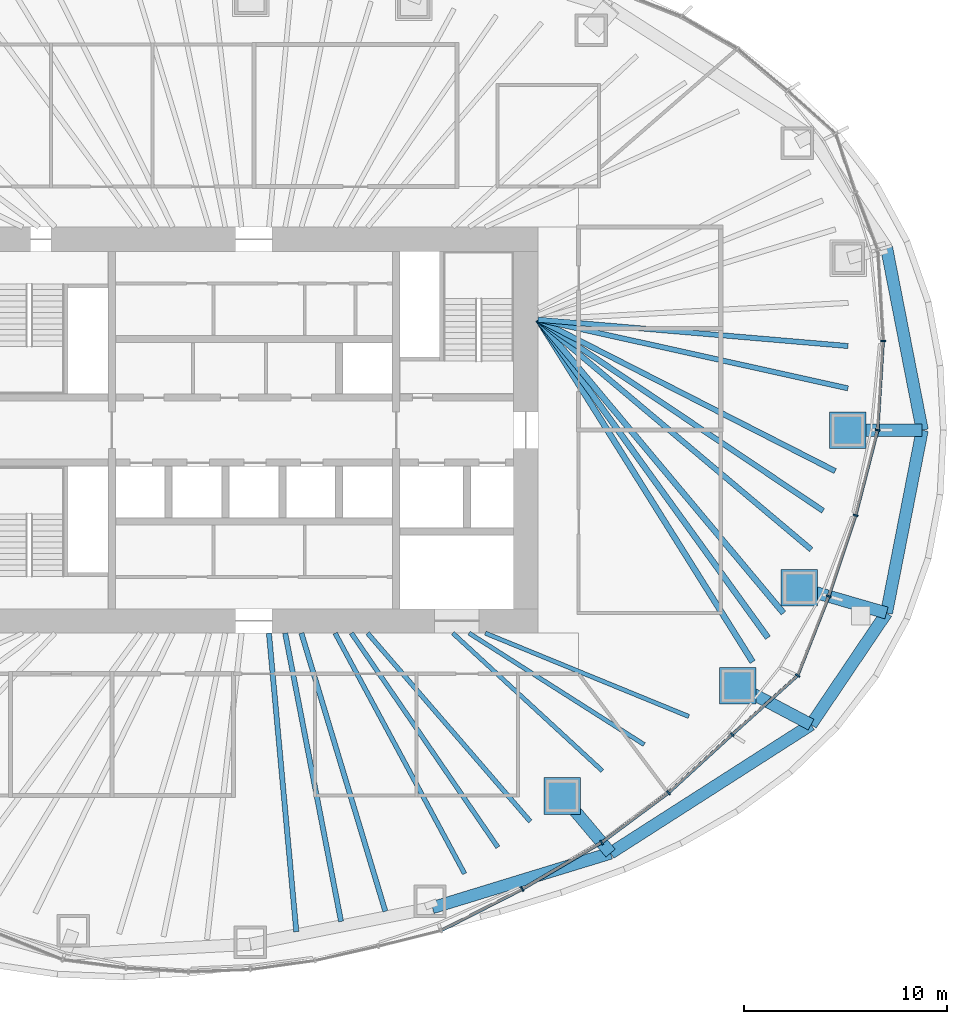
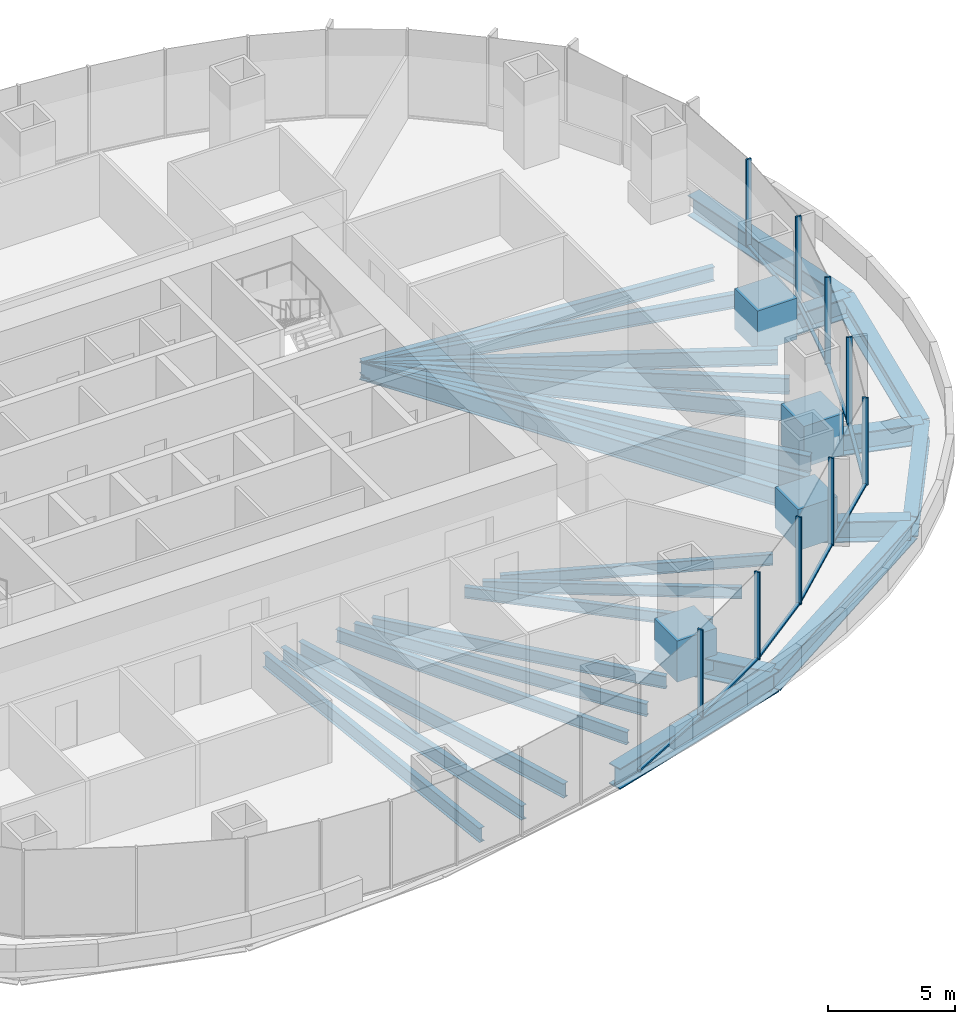
# One storey, part 4 of 20: 26 beams, 22 members, 5 elements without a shape of their own.
"""IFC4 building model written with IfcOpenShell, lengths in metres."""

from ifc_helpers import new_model, si_unit, direction, frame, origin, origin_2d, place, context, subcontext, project, spatial, rectangle, hollow_rectangle, i_section, extrude, boolean, material, material_profile, profile_set, type_object, element, aggregate, save


model = new_model("IFC4")

# Units and contexts
model_context = context("Model", 3, precision=1e-05, world=origin(), true_north=direction((0.0, 1.0)))
body_context = subcontext(model_context, "Body", "Model", "MODEL_VIEW")
ifc_project = project(units=[si_unit("LENGTHUNIT", "METRE"), si_unit("AREAUNIT", "SQUARE_METRE"), si_unit("VOLUMEUNIT", "CUBIC_METRE"), si_unit("PLANEANGLEUNIT", "RADIAN"), si_unit("MASSUNIT", "GRAM", prefix="KILO")], contexts=[model_context])

# Site, building, storey
site_placement = place(None, origin())
site = spatial("IfcSite", under=ifc_project, at=site_placement, CompositionType="ELEMENT")
building_placement = place(site_placement, origin())
building = spatial("IfcBuilding", under=site, at=building_placement, Name="Ghaith Harvest Tower", CompositionType="ELEMENT")
storey_placement = place(building_placement, frame((0.0, 0.0, 105.0)))
storey = spatial("IfcBuildingStorey", under=building, at=storey_placement, Name="L21", CompositionType="ELEMENT", Elevation=105.0)

# Curtain wall, members
ifc_material_1 = material(Name="Black anodised aluminium and fritted glass", Category="aluminium")
curtain_wall_type = type_object("IfcCurtainWallType", Name="CW-L CURTAIN WALL", PredefinedType="NOTDEFINED", material=ifc_material_1)
curtain_wall_1_placement = place(storey_placement, origin())
curtain_wall_1 = element("IfcCurtainWall", 1, at=curtain_wall_1_placement, inside=storey, type_object=curtain_wall_type, Name="Curtain wall CW-L bay 01 L21", PredefinedType="NOTDEFINED")
ifc_material_2 = material(Name="Aluminium, black anodised", Category="aluminium")
ifc_material_profile_1 = material_profile(ifc_material_2, rectangle(XDim=0.080078125, YDim=0.239990234375, at=origin_2d()), Name="CW-L MULLION 80x240")
ifc_profile_set_1 = profile_set([ifc_material_profile_1], Name="Aluminium, black anodised")
member_type_1 = type_object("IfcMemberType", Name="CW-L MULLION 80x240", PredefinedType="MULLION", material=ifc_profile_set_1)
member_1_placement = place(storey_placement, frame((30.728759765625, 0.0, 0.0), z_axis=(0.0, 0.0, 1.0), x_axis=(0.155597142981, 0.987820595602, 0.0)))
member_1 = element("IfcMember", 2, at=member_1_placement, type_object=member_type_1, Name="CW-L mullion 1 bay 01 L21", PredefinedType="MULLION", context=body_context, shape_type="SweptSolid", body=[
    extrude(rectangle(XDim=0.080078125, YDim=0.239990234375, at=origin_2d()), origin(), (0.0, 0.0, 1.0), 4.199951171875),
])
member_2_placement = place(storey_placement, frame((30.998779296875, 4.389892578125, 0.0), z_axis=(0.0, 0.0, 1.0), x_axis=(-0.000162467394, 0.999999986802, 0.0)))
member_2 = element("IfcMember", 3, at=member_2_placement, type_object=member_type_1, Name="CW-L mullion 2 bay 01 L21", PredefinedType="MULLION", context=body_context, shape_type="SweptSolid", body=[
    extrude(rectangle(XDim=0.080078125, YDim=0.239990234375, at=origin_2d()), origin(), (0.0, 0.0, 1.0), 4.199951171875),
])

# Curtain wall, member
curtain_wall_2_placement = place(storey_placement, origin())
curtain_wall_2 = element("IfcCurtainWall", 4, at=curtain_wall_2_placement, inside=storey, type_object=curtain_wall_type, Name="Curtain wall CW-L bay 17 L21", PredefinedType="NOTDEFINED")
member_3_placement = place(storey_placement, frame((13.224365234375, -22.614013671875, 0.0), z_axis=(0.0, 0.0, 1.0), x_axis=(0.876898762173, 0.480675109507, 0.0)))
member_3 = element("IfcMember", 5, at=member_3_placement, type_object=member_type_1, Name="CW-L mullion 2 bay 17 L21", PredefinedType="MULLION", context=body_context, shape_type="SweptSolid", body=[
    extrude(rectangle(XDim=0.080078125, YDim=0.239990234375, at=origin_2d()), origin(), (0.0, 0.0, 1.0), 4.199951171875),
])

# Curtain wall, members
curtain_wall_3_placement = place(storey_placement, origin())
curtain_wall_3 = element("IfcCurtainWall", 6, at=curtain_wall_3_placement, inside=storey, type_object=curtain_wall_type, Name="Curtain wall CW-L bay 18 L21", PredefinedType="NOTDEFINED")
member_4_placement = place(storey_placement, frame((17.1318359375, -20.31591796875, 0.0), z_axis=(0.0, 0.0, 1.0), x_axis=(0.834887453241, 0.550420694035, 0.0)))
member_4 = element("IfcMember", 7, at=member_4_placement, type_object=member_type_1, Name="CW-L mullion 1 bay 18 L21", PredefinedType="MULLION", context=body_context, shape_type="SweptSolid", body=[
    extrude(rectangle(XDim=0.080078125, YDim=0.239990234375, at=origin_2d()), origin(), (0.0, 0.0, 1.0), 4.199951171875),
])
member_5_placement = place(storey_placement, frame((20.4296875, -17.86376953125, 0.0), z_axis=(0.0, 0.0, 1.0), x_axis=(0.770306399656, 0.637673937564, 0.0)))
member_5 = element("IfcMember", 8, at=member_5_placement, type_object=member_type_1, Name="CW-L mullion 2 bay 18 L21", PredefinedType="MULLION", context=body_context, shape_type="SweptSolid", body=[
    extrude(rectangle(XDim=0.080078125, YDim=0.239990234375, at=origin_2d()), origin(), (0.0, 0.0, 1.0), 4.199951171875),
])

curtain_wall_4_placement = place(storey_placement, origin())
curtain_wall_4 = element("IfcCurtainWall", 9, at=curtain_wall_4_placement, inside=storey, type_object=curtain_wall_type, Name="Curtain wall CW-L bay 19 L21", PredefinedType="NOTDEFINED")
member_6_placement = place(storey_placement, frame((23.560546875, -14.994140625, 0.0), z_axis=(0.0, 0.0, 1.0), x_axis=(0.740389054945, 0.672178582906, 0.0)))
member_6 = element("IfcMember", 10, at=member_6_placement, type_object=member_type_1, Name="CW-L mullion 1 bay 19 L21", PredefinedType="MULLION", context=body_context, shape_type="SweptSolid", body=[
    extrude(rectangle(XDim=0.080078125, YDim=0.239990234375, at=origin_2d()), origin(), (0.0, 0.0, 1.0), 4.199951171875),
])
member_7_placement = place(storey_placement, frame((26.786376953125, -12.0927734375, 0.0), z_axis=(0.0, 0.0, 1.0), x_axis=(0.572853476908, 0.819657790785, 0.0)))
member_7 = element("IfcMember", 11, at=member_7_placement, type_object=member_type_1, Name="CW-L mullion 2 bay 19 L21", PredefinedType="MULLION", context=body_context, shape_type="SweptSolid", body=[
    extrude(rectangle(XDim=0.080078125, YDim=0.239990234375, at=origin_2d()), origin(), (0.0, 0.0, 1.0), 4.199951171875),
])

curtain_wall_5_placement = place(storey_placement, origin())
curtain_wall_5 = element("IfcCurtainWall", 12, at=curtain_wall_5_placement, inside=storey, type_object=curtain_wall_type, Name="Curtain wall CW-L bay 20 L21", PredefinedType="NOTDEFINED")
member_8_placement = place(storey_placement, frame((28.319580078125, -8.184814453125, 0.0), z_axis=(0.0, 0.0, 1.0), x_axis=(0.34057402484, 0.94021770543, 0.0)))
member_8 = element("IfcMember", 13, at=member_8_placement, type_object=member_type_1, Name="CW-L mullion 1 bay 20 L21", PredefinedType="MULLION", context=body_context, shape_type="SweptSolid", body=[
    extrude(rectangle(XDim=0.080078125, YDim=0.239990234375, at=origin_2d()), origin(), (0.0, 0.0, 1.0), 4.199951171875),
])
member_9_placement = place(storey_placement, frame((29.64599609375, -4.1982421875, 0.0), z_axis=(0.0, 0.0, 1.0), x_axis=(0.282375140161, 0.959304060358, 0.0)))
member_9 = element("IfcMember", 14, at=member_9_placement, type_object=member_type_1, Name="CW-L mullion 2 bay 20 L21", PredefinedType="MULLION", context=body_context, shape_type="SweptSolid", body=[
    extrude(rectangle(XDim=0.080078125, YDim=0.239990234375, at=origin_2d()), origin(), (0.0, 0.0, 1.0), 4.199951171875),
])

# Member
ifc_material_3 = material(Name="Aluminium, black anodised", Category="aluminium")
ifc_material_profile_2 = material_profile(ifc_material_3, rectangle(XDim=0.14990234375, YDim=0.080078125, at=origin_2d()), Name="CW-L TRANSOM 150x80")
ifc_profile_set_2 = profile_set([ifc_material_profile_2], Name="Aluminium, black anodised")
member_type_2 = type_object("IfcMemberType", Name="CW-L TRANSOM 150x80", PredefinedType="USERDEFINED", material=ifc_profile_set_2)
member_10_placement = place(storey_placement, frame((30.731201171875, 0.0400390625, 0.0400390625), z_axis=(0.061403204251, 0.99811304295, 0.0), x_axis=(-0.99811304295, 0.061403204251, 0.0)))
member_10 = element("IfcMember", 15, at=member_10_placement, type_object=member_type_2, Name="CW-L transom 1 bay 01 L21", ObjectType="TRANSOM", PredefinedType="USERDEFINED", context=body_context, shape_type="SweptSolid", body=[
    extrude(rectangle(XDim=0.14990234375, YDim=0.080078125, at=origin_2d()), origin(), (0.0, 0.0, 1.0), 4.31787109375),
])

aggregate(curtain_wall_1, [member_1, member_10, member_2])

member_11_placement = place(storey_placement, frame((9.25244140625, -24.636474609375, 0.0400390625), z_axis=(0.891120044719, 0.453767634258, 0.0), x_axis=(-0.453767634258, 0.891120044719, 0.0)))
member_11 = element("IfcMember", 16, at=member_11_placement, type_object=member_type_2, Name="CW-L transom 1 bay 17 L21", ObjectType="TRANSOM", PredefinedType="USERDEFINED", context=body_context, shape_type="SweptSolid", body=[
    extrude(rectangle(XDim=0.14990234375, YDim=0.080078125, at=origin_2d()), origin(), (0.0, 0.0, 1.0), 4.417236328125),
])

member_12_placement = place(storey_placement, frame((13.259033203125, -22.59375, 0.0400390625), z_axis=(0.86196381091, 0.506969810424, 0.0), x_axis=(-0.506969810424, 0.86196381091, 0.0)))
member_12 = element("IfcMember", 17, at=member_12_placement, type_object=member_type_2, Name="CW-L transom 2 bay 17 L21", ObjectType="TRANSOM", PredefinedType="USERDEFINED", context=body_context, shape_type="SweptSolid", body=[
    extrude(rectangle(XDim=0.14990234375, YDim=0.080078125, at=origin_2d()), origin(), (0.0, 0.0, 1.0), 4.453125),
])

aggregate(curtain_wall_2, [member_11, member_3, member_12])

member_13_placement = place(storey_placement, frame((17.1640625, -20.2919921875, 0.0400390625), z_axis=(0.802465316609, 0.59669876457, 0.0), x_axis=(-0.59669876457, 0.802465316609, 0.0)))
member_13 = element("IfcMember", 18, at=member_13_placement, type_object=member_type_2, Name="CW-L transom 1 bay 18 L21", ObjectType="TRANSOM", PredefinedType="USERDEFINED", context=body_context, shape_type="SweptSolid", body=[
    extrude(rectangle(XDim=0.14990234375, YDim=0.080078125, at=origin_2d()), origin(), (0.0, 0.0, 1.0), 4.029296875),
])

member_14_placement = place(storey_placement, frame((20.459228515625, -17.836669921875, 0.0400390625), z_axis=(0.737197916434, 0.675676869521, 0.0), x_axis=(-0.675676869521, 0.737197916434, 0.0)))
member_14 = element("IfcMember", 19, at=member_14_placement, type_object=member_type_2, Name="CW-L transom 2 bay 18 L21", ObjectType="TRANSOM", PredefinedType="USERDEFINED", context=body_context, shape_type="SweptSolid", body=[
    extrude(rectangle(XDim=0.14990234375, YDim=0.080078125, at=origin_2d()), origin(), (0.0, 0.0, 1.0), 4.166748046875),
])

aggregate(curtain_wall_3, [member_4, member_13, member_5, member_14])

member_15_placement = place(storey_placement, frame((23.59033203125, -14.967529296875, 0.0400390625), z_axis=(0.74346800111, 0.668771509056, 0.0), x_axis=(-0.668771509056, 0.74346800111, 0.0)))
member_15 = element("IfcMember", 20, at=member_15_placement, type_object=member_type_2, Name="CW-L transom 1 bay 19 L21", ObjectType="TRANSOM", PredefinedType="USERDEFINED", context=body_context, shape_type="SweptSolid", body=[
    extrude(rectangle(XDim=0.14990234375, YDim=0.080078125, at=origin_2d()), origin(), (0.0, 0.0, 1.0), 4.2587890625),
])

member_16_placement = place(storey_placement, frame((26.801025390625, -12.055419921875, 0.0400390625), z_axis=(0.365228588652, 0.930917868575, 0.0), x_axis=(-0.930917868575, 0.365228588652, 0.0)))
member_16 = element("IfcMember", 21, at=member_16_placement, type_object=member_type_2, Name="CW-L transom 2 bay 19 L21", ObjectType="TRANSOM", PredefinedType="USERDEFINED", context=body_context, shape_type="SweptSolid", body=[
    extrude(rectangle(XDim=0.14990234375, YDim=0.080078125, at=origin_2d()), origin(), (0.0, 0.0, 1.0), 4.11767578125),
])

aggregate(curtain_wall_4, [member_6, member_15, member_7, member_16])

member_17_placement = place(storey_placement, frame((28.33203125, -8.14697265625, 0.0400390625), z_axis=(0.315712391444, 0.948854934059, 0.0), x_axis=(-0.948854934059, 0.315712391444, 0.0)))
member_17 = element("IfcMember", 22, at=member_17_placement, type_object=member_type_2, Name="CW-L transom 1 bay 20 L21", ObjectType="TRANSOM", PredefinedType="USERDEFINED", context=body_context, shape_type="SweptSolid", body=[
    extrude(rectangle(XDim=0.14990234375, YDim=0.080078125, at=origin_2d()), origin(), (0.0, 0.0, 1.0), 4.12158203125),
])

member_18_placement = place(storey_placement, frame((29.656005859375, -4.159423828125, 0.0400390625), z_axis=(0.249737470584, 0.968313583395, 0.0), x_axis=(-0.968313583395, 0.249737470584, 0.0)))
member_18 = element("IfcMember", 23, at=member_18_placement, type_object=member_type_2, Name="CW-L transom 2 bay 20 L21", ObjectType="TRANSOM", PredefinedType="USERDEFINED", context=body_context, shape_type="SweptSolid", body=[
    extrude(rectangle(XDim=0.14990234375, YDim=0.080078125, at=origin_2d()), origin(), (0.0, 0.0, 1.0), 4.25537109375),
])

aggregate(curtain_wall_5, [member_8, member_17, member_9, member_18])

# Beams
ifc_material_4 = material(Name="Steel S460", Category="steel")
ifc_material_profile_3 = material_profile(ifc_material_4, i_section(OverallWidth=0.60009765625, OverallDepth=1.0, WebThickness=0.02490234375, FlangeThickness=0.050048828125, at=origin_2d()), Name="PG1000X600X25X50")
ifc_profile_set_3 = profile_set([ifc_material_profile_3], Name="Steel S460")
beam_type_1 = type_object("IfcBeamType", Name="EPG1000 PG1000X600X25X50", PredefinedType="SPANDREL", material=ifc_profile_set_3)
beam_1_placement = place(storey_placement, frame((32.925048828125, 0.0, -0.77490234375), z_axis=(-0.191714734681, 0.981450691836, 0.0), x_axis=(-0.981450691836, -0.191714734681, 0.0)))
element("IfcBeam", 24, at=beam_1_placement, inside=storey, type_object=beam_type_1, Name="Setback edge beam E01 L21", PredefinedType="SPANDREL", context=body_context, shape_type="SweptSolid", body=[
    extrude(i_section(OverallWidth=0.60009765625, OverallDepth=1.0, WebThickness=0.02490234375, FlangeThickness=0.050048828125, at=origin_2d()), origin(), (0.0, 0.0, 1.0), 9.177734375),
])
beam_2_placement = place(storey_placement, frame((8.795166015625, -23.52685546875, -0.77490234375), z_axis=(0.956116511537, 0.292986717046, 0.0), x_axis=(-0.292986717046, 0.956116511537, 0.0)))
element("IfcBeam", 25, at=beam_2_placement, inside=storey, type_object=beam_type_1, Name="Setback edge beam E17 L21", PredefinedType="SPANDREL", context=body_context, shape_type="SweptSolid", body=[
    extrude(i_section(OverallWidth=0.60009765625, OverallDepth=1.0, WebThickness=0.02490234375, FlangeThickness=0.050048828125, at=origin_2d()), origin(), (0.0, 0.0, 1.0), 9.179443359375),
])
beam_3_placement = place(storey_placement, frame((17.57177734375, -20.83740234375, -0.77490234375), z_axis=(0.842013912488, 0.539455810217, 0.0), x_axis=(-0.539455810217, 0.842013912488, 0.0)))
element("IfcBeam", 26, at=beam_3_placement, inside=storey, type_object=beam_type_1, Name="Setback edge beam E18 L21", PredefinedType="SPANDREL", context=body_context, shape_type="SweptSolid", body=[
    extrude(i_section(OverallWidth=0.60009765625, OverallDepth=1.0, WebThickness=0.02490234375, FlangeThickness=0.050048828125, at=origin_2d()), origin(), (0.0, 0.0, 1.0), 11.73095703125),
])
beam_4_placement = place(storey_placement, frame((27.449462890625, -14.509033203125, -0.77490234375), z_axis=(0.559739355776, 0.828668723674, 0.0), x_axis=(-0.828668723674, 0.559739355776, 0.0)))
element("IfcBeam", 27, at=beam_4_placement, inside=storey, type_object=beam_type_1, Name="Setback edge beam E19 L21", PredefinedType="SPANDREL", context=body_context, shape_type="SweptSolid", body=[
    extrude(i_section(OverallWidth=0.60009765625, OverallDepth=1.0, WebThickness=0.02490234375, FlangeThickness=0.050048828125, at=origin_2d()), origin(), (0.0, 0.0, 1.0), 6.638916015625),
])
beam_5_placement = place(storey_placement, frame((31.16552734375, -9.007568359375, -0.77490234375), z_axis=(0.191714734681, 0.981450691836, 0.0), x_axis=(-0.981450691836, 0.191714734681, 0.0)))
element("IfcBeam", 28, at=beam_5_placement, inside=storey, type_object=beam_type_1, Name="Setback edge beam E20 L21", PredefinedType="SPANDREL", context=body_context, shape_type="SweptSolid", body=[
    extrude(i_section(OverallWidth=0.60009765625, OverallDepth=1.0, WebThickness=0.02490234375, FlangeThickness=0.050048828125, at=origin_2d()), origin(), (0.0, 0.0, 1.0), 9.177734375),
])
ifc_material_5 = material(Name="Steel S460", Category="steel")
ifc_material_profile_4 = material_profile(ifc_material_5, i_section(OverallWidth=0.60009765625, OverallDepth=1.0, WebThickness=0.02490234375, FlangeThickness=0.050048828125, at=origin_2d()), Name="PG1000X600X25X50")
ifc_profile_set_4 = profile_set([ifc_material_profile_4], Name="Steel S460")
beam_type_2 = type_object("IfcBeamType", Name="GPG1000 PG1000X600X25X50", PredefinedType="BEAM", material=ifc_profile_set_4)
beam_6_placement = place(storey_placement, frame((29.259033203125, 0.0, -0.77490234375), z_axis=(1.0, 0.0, 0.0), x_axis=(0.0, 1.0, 0.0)))
element("IfcBeam", 29, at=beam_6_placement, inside=storey, type_object=beam_type_2, Name="Setback cantilever G01 L21", PredefinedType="BEAM", context=body_context, shape_type="SweptSolid", body=[
    extrude(i_section(OverallWidth=0.60009765625, OverallDepth=1.0, WebThickness=0.02490234375, FlangeThickness=0.050048828125, at=origin_2d()), origin(), (0.0, 0.0, 1.0), 3.666015625),
])
beam_7_placement = place(storey_placement, frame((15.197998046875, -18.02294921875, -0.77490234375), z_axis=(0.644725674939, -0.764414026607, 0.0), x_axis=(0.764414026607, 0.644725674939, 0.0)))
element("IfcBeam", 30, at=beam_7_placement, inside=storey, type_object=beam_type_2, Name="Setback cantilever G18 L21", PredefinedType="BEAM", context=body_context, shape_type="SweptSolid", body=[
    extrude(i_section(OverallWidth=0.60009765625, OverallDepth=1.0, WebThickness=0.02490234375, FlangeThickness=0.050048828125, at=origin_2d()), origin(), (0.0, 0.0, 1.0), 3.681884765625),
])
beam_8_placement = place(storey_placement, frame((23.825927734375, -12.593994140625, -0.77490234375), z_axis=(0.884120955758, -0.467258103825, 0.0), x_axis=(0.467258103825, 0.884120955758, 0.0)))
element("IfcBeam", 31, at=beam_8_placement, inside=storey, type_object=beam_type_2, Name="Setback cantilever G19 L21", PredefinedType="BEAM", context=body_context, shape_type="SweptSolid", body=[
    extrude(i_section(OverallWidth=0.60009765625, OverallDepth=1.0, WebThickness=0.02490234375, FlangeThickness=0.050048828125, at=origin_2d()), origin(), (0.0, 0.0, 1.0), 4.098388671875),
])
beam_9_placement = place(storey_placement, frame((26.8779296875, -7.76806640625, -0.77490234375), z_axis=(0.960662631457, -0.277718037804, 0.0), x_axis=(0.277718037804, 0.960662631457, 0.0)))
element("IfcBeam", 32, at=beam_9_placement, inside=storey, type_object=beam_type_2, Name="Setback cantilever G20 L21", PredefinedType="BEAM", context=body_context, shape_type="SweptSolid", body=[
    extrude(i_section(OverallWidth=0.60009765625, OverallDepth=1.0, WebThickness=0.02490234375, FlangeThickness=0.050048828125, at=origin_2d()), origin(), (0.0, 0.0, 1.0), 4.463134765625),
])
ifc_material_6 = material(Name="Steel ASTM A992 Grade 50", Category="steel")
ifc_material_profile_5 = material_profile(ifc_material_6, i_section(OverallWidth=0.2109375, OverallDepth=0.5390625, WebThickness=0.01171875, FlangeThickness=0.018798828125, at=origin_2d()), Name="W530X109")
ifc_profile_set_5 = profile_set([ifc_material_profile_5], Name="Steel ASTM A992 Grade 50")
beam_type_3 = type_object("IfcBeamType", Name="J530-109 W530X109", PredefinedType="JOIST", material=ifc_profile_set_5)
beam_10_placement = place(storey_placement, frame((9.800048828125, -10.0, -0.439453125), z_axis=(0.735441512033, -0.677588210035, 0.0), x_axis=(0.677588210035, 0.735441512033, 0.0)))
element("IfcBeam", 33, at=beam_10_placement, inside=storey, type_object=beam_type_3, Name="Joist J18.1 L21", PredefinedType="JOIST", context=body_context, shape_type="SweptSolid", body=[
    extrude(i_section(OverallWidth=0.2109375, OverallDepth=0.5390625, WebThickness=0.01171875, FlangeThickness=0.018798828125, at=origin_2d()), origin(), (0.0, 0.0, 1.0), 10.01416015625),
])
beam_11_placement = place(storey_placement, frame((10.60009765625, -10.0, -0.439453125), z_axis=(0.843584777848, -0.536996017288, 0.0), x_axis=(0.536996017288, 0.843584777848, 0.0)))
element("IfcBeam", 34, at=beam_11_placement, inside=storey, type_object=beam_type_3, Name="Joist J18.2 L21", PredefinedType="JOIST", context=body_context, shape_type="SweptSolid", body=[
    extrude(i_section(OverallWidth=0.2109375, OverallDepth=0.5390625, WebThickness=0.01171875, FlangeThickness=0.018798828125, at=origin_2d()), origin(), (0.0, 0.0, 1.0), 10.22314453125),
])
beam_12_placement = place(storey_placement, frame((11.39990234375, -10.0, -0.439453125), z_axis=(0.925406878607, -0.378975077053, 0.0), x_axis=(0.378975077053, 0.925406878607, 0.0)))
element("IfcBeam", 35, at=beam_12_placement, inside=storey, type_object=beam_type_3, Name="Joist J18.3 L21", PredefinedType="JOIST", context=body_context, shape_type="SweptSolid", body=[
    extrude(i_section(OverallWidth=0.2109375, OverallDepth=0.5390625, WebThickness=0.01171875, FlangeThickness=0.018798828125, at=origin_2d()), origin(), (0.0, 0.0, 1.0), 10.83251953125),
])
ifc_material_7 = material(Name="Steel ASTM A992 Grade 50", Category="steel")
ifc_material_profile_6 = material_profile(ifc_material_7, i_section(OverallWidth=0.22900390625, OverallDepth=0.612060546875, WebThickness=0.011962890625, FlangeThickness=0.01953125, at=origin_2d()), Name="W610X125")
ifc_profile_set_6 = profile_set([ifc_material_profile_6], Name="Steel ASTM A992 Grade 50")
beam_type_4 = type_object("IfcBeamType", Name="J610-125 W610X125", PredefinedType="JOIST", material=ifc_profile_set_6)
beam_13_placement = place(storey_placement, frame((4.0, -10.0, -0.47607421875), z_axis=(0.473990552547, -0.880529929131, 0.0), x_axis=(0.880529929131, 0.473990552547, 0.0)))
element("IfcBeam", 36, at=beam_13_placement, inside=storey, type_object=beam_type_4, Name="Joist J17.1 L21", PredefinedType="JOIST", context=body_context, shape_type="SweptSolid", body=[
    extrude(i_section(OverallWidth=0.22900390625, OverallDepth=0.612060546875, WebThickness=0.011962890625, FlangeThickness=0.01953125, at=origin_2d()), origin(), (0.0, 0.0, 1.0), 13.457275390625),
])
beam_14_placement = place(storey_placement, frame((4.800048828125, -10.0, -0.47607421875), z_axis=(0.564640089487, -0.825337245824, 0.0), x_axis=(0.825337245824, 0.564640089487, 0.0)))
element("IfcBeam", 37, at=beam_14_placement, inside=storey, type_object=beam_type_4, Name="Joist J17.2 L21", PredefinedType="JOIST", context=body_context, shape_type="SweptSolid", body=[
    extrude(i_section(OverallWidth=0.22900390625, OverallDepth=0.612060546875, WebThickness=0.011962890625, FlangeThickness=0.01953125, at=origin_2d()), origin(), (0.0, 0.0, 1.0), 12.78125),
])
beam_15_placement = place(storey_placement, frame((5.60009765625, -10.0, -0.47607421875), z_axis=(0.653656155878, -0.756791668746, 0.0), x_axis=(0.756791668746, 0.653656155878, 0.0)))
element("IfcBeam", 38, at=beam_15_placement, inside=storey, type_object=beam_type_4, Name="Joist J17.3 L21", PredefinedType="JOIST", context=body_context, shape_type="SweptSolid", body=[
    extrude(i_section(OverallWidth=0.22900390625, OverallDepth=0.612060546875, WebThickness=0.011962890625, FlangeThickness=0.01953125, at=origin_2d()), origin(), (0.0, 0.0, 1.0), 12.261962890625),
])
ifc_material_8 = material(Name="Steel ASTM A992 Grade 50", Category="steel")
ifc_material_profile_7 = material_profile(ifc_material_8, i_section(OverallWidth=0.25390625, OverallDepth=0.68408203125, WebThickness=0.012451171875, FlangeThickness=0.018798828125, at=origin_2d()), Name="W690X140")
ifc_profile_set_7 = profile_set([ifc_material_profile_7], Name="Steel ASTM A992 Grade 50")
beam_type_5 = type_object("IfcBeamType", Name="J690-140 W690X140", PredefinedType="JOIST", material=ifc_profile_set_7)
beam_16_placement = place(storey_placement, frame((14.0, 5.4462890625, -0.511962890625), z_axis=(0.976296415792, -0.21643777053, 0.0), x_axis=(0.21643777053, 0.976296415792, 0.0)))
element("IfcBeam", 39, at=beam_16_placement, inside=storey, type_object=beam_type_5, Name="Joist J01.1 L21", PredefinedType="JOIST", context=body_context, shape_type="SweptSolid", body=[
    extrude(i_section(OverallWidth=0.25390625, OverallDepth=0.68408203125, WebThickness=0.012451171875, FlangeThickness=0.018798828125, at=origin_2d()), origin(), (0.0, 0.0, 1.0), 15.63623046875),
])
beam_17_placement = place(storey_placement, frame((14.0, 5.4462890625, -0.511962890625), z_axis=(0.996391045537, -0.084881590307, 0.0), x_axis=(0.084881590307, 0.996391045537, 0.0)))
element("IfcBeam", 40, at=beam_17_placement, inside=storey, type_object=beam_type_5, Name="Joist J01.2 L21", PredefinedType="JOIST", context=body_context, shape_type="SweptSolid", body=[
    extrude(i_section(OverallWidth=0.25390625, OverallDepth=0.68408203125, WebThickness=0.012451171875, FlangeThickness=0.018798828125, at=origin_2d()), origin(), (0.0, 0.0, 1.0), 15.32763671875),
])
beam_18_placement = place(storey_placement, frame((0.73828125, -10.0, -0.511962890625), z_axis=(0.091379298998, -0.995816159597, 0.0), x_axis=(0.995816159597, 0.091379298998, 0.0)))
element("IfcBeam", 41, at=beam_18_placement, inside=storey, type_object=beam_type_5, Name="Joist J16.1 L21", PredefinedType="JOIST", context=body_context, shape_type="SweptSolid", body=[
    extrude(i_section(OverallWidth=0.25390625, OverallDepth=0.68408203125, WebThickness=0.012451171875, FlangeThickness=0.018798828125, at=origin_2d()), origin(), (0.0, 0.0, 1.0), 14.769287109375),
])
beam_19_placement = place(storey_placement, frame((1.538330078125, -10.0, -0.511962890625), z_axis=(0.190235964894, -0.981738395735, 0.0), x_axis=(0.981738395735, 0.190235964894, 0.0)))
element("IfcBeam", 42, at=beam_19_placement, inside=storey, type_object=beam_type_5, Name="Joist J16.2 L21", PredefinedType="JOIST", context=body_context, shape_type="SweptSolid", body=[
    extrude(i_section(OverallWidth=0.25390625, OverallDepth=0.68408203125, WebThickness=0.012451171875, FlangeThickness=0.018798828125, at=origin_2d()), origin(), (0.0, 0.0, 1.0), 14.468505859375),
])
beam_20_placement = place(storey_placement, frame((2.33837890625, -10.0, -0.511962890625), z_axis=(0.288890171312, -0.957362245401, 0.0), x_axis=(0.957362245401, 0.288890171312, 0.0)))
element("IfcBeam", 43, at=beam_20_placement, inside=storey, type_object=beam_type_5, Name="Joist J16.3 L21", PredefinedType="JOIST", context=body_context, shape_type="SweptSolid", body=[
    extrude(i_section(OverallWidth=0.25390625, OverallDepth=0.68408203125, WebThickness=0.012451171875, FlangeThickness=0.018798828125, at=origin_2d()), origin(), (0.0, 0.0, 1.0), 14.31591796875),
])
ifc_material_9 = material(Name="Steel ASTM A992 Grade 50", Category="steel")
ifc_material_profile_8 = material_profile(ifc_material_9, i_section(OverallWidth=0.26806640625, OverallDepth=0.77001953125, WebThickness=0.015625, FlangeThickness=0.025390625, at=origin_2d()), Name="W760X196")
ifc_profile_set_8 = profile_set([ifc_material_profile_8], Name="Steel ASTM A992 Grade 50")
beam_type_6 = type_object("IfcBeamType", Name="J760-196 W760X196", PredefinedType="JOIST", material=ifc_profile_set_8)
beam_21_placement = place(storey_placement, frame((14.0, 5.4462890625, -0.554931640625), z_axis=(0.76502276637, -0.644003235191, 0.0), x_axis=(0.644003235191, 0.76502276637, 0.0)))
element("IfcBeam", 44, at=beam_21_placement, inside=storey, type_object=beam_type_6, Name="Joist J20.1 L21", PredefinedType="JOIST", context=body_context, shape_type="SweptSolid", body=[
    extrude(i_section(OverallWidth=0.26806640625, OverallDepth=0.77001953125, WebThickness=0.015625, FlangeThickness=0.025390625, at=origin_2d()), origin(), (0.0, 0.0, 1.0), 17.58935546875),
])
beam_22_placement = place(storey_placement, frame((14.0, 5.4462890625, -0.554931640625), z_axis=(0.830509806961, -0.557004004063, 0.0), x_axis=(0.557004004063, 0.830509806961, 0.0)))
element("IfcBeam", 45, at=beam_22_placement, inside=storey, type_object=beam_type_6, Name="Joist J20.2 L21", PredefinedType="JOIST", context=body_context, shape_type="SweptSolid", body=[
    extrude(i_section(OverallWidth=0.26806640625, OverallDepth=0.77001953125, WebThickness=0.015625, FlangeThickness=0.025390625, at=origin_2d()), origin(), (0.0, 0.0, 1.0), 16.907470703125),
])
beam_23_placement = place(storey_placement, frame((14.0, 5.4462890625, -0.554931640625), z_axis=(0.890896599046, -0.45420617544, 0.0), x_axis=(0.45420617544, 0.890896599046, 0.0)))
element("IfcBeam", 46, at=beam_23_placement, inside=storey, type_object=beam_type_6, Name="Joist J20.3 L21", PredefinedType="JOIST", context=body_context, shape_type="SweptSolid", body=[
    extrude(i_section(OverallWidth=0.26806640625, OverallDepth=0.77001953125, WebThickness=0.015625, FlangeThickness=0.025390625, at=origin_2d()), origin(), (0.0, 0.0, 1.0), 16.433349609375),
])
ifc_material_10 = material(Name="Steel ASTM A992 Grade 50", Category="steel")
ifc_material_profile_9 = material_profile(ifc_material_10, i_section(OverallWidth=0.2939453125, OverallDepth=0.85107421875, WebThickness=0.01611328125, FlangeThickness=0.02685546875, at=origin_2d()), Name="W840X226")
ifc_profile_set_9 = profile_set([ifc_material_profile_9], Name="Steel ASTM A992 Grade 50")
beam_type_7 = type_object("IfcBeamType", Name="J840-226 W840X226", PredefinedType="JOIST", material=ifc_profile_set_9)
beam_24_placement = place(storey_placement, frame((14.0, 5.4462890625, -0.595458984375), z_axis=(0.531070259364, -0.847327787588, 0.0), x_axis=(0.847327787588, 0.531070259364, 0.0)))
element("IfcBeam", 47, at=beam_24_placement, inside=storey, type_object=beam_type_7, Name="Joist J19.1 L21", PredefinedType="JOIST", context=body_context, shape_type="SweptSolid", body=[
    extrude(i_section(OverallWidth=0.2939453125, OverallDepth=0.85107421875, WebThickness=0.01611328125, FlangeThickness=0.02685546875, at=origin_2d()), origin(), (0.0, 0.0, 1.0), 19.90283203125),
])
beam_25_placement = place(storey_placement, frame((14.0, 5.4462890625, -0.595458984375), z_axis=(0.585639452068, -0.810571669984, 0.0), x_axis=(0.810571669984, 0.585639452068, 0.0)))
element("IfcBeam", 48, at=beam_25_placement, inside=storey, type_object=beam_type_7, Name="Joist J19.2 L21", PredefinedType="JOIST", context=body_context, shape_type="SweptSolid", body=[
    extrude(i_section(OverallWidth=0.2939453125, OverallDepth=0.85107421875, WebThickness=0.01611328125, FlangeThickness=0.02685546875, at=origin_2d()), origin(), (0.0, 0.0, 1.0), 19.335205078125),
])
beam_26_placement = place(storey_placement, frame((14.0, 5.4462890625, -0.595458984375), z_axis=(0.641516121102, -0.767109553041, 0.0), x_axis=(0.767109553041, 0.641516121102, 0.0)))
element("IfcBeam", 49, at=beam_26_placement, inside=storey, type_object=beam_type_7, Name="Joist J19.3 L21", PredefinedType="JOIST", context=body_context, shape_type="SweptSolid", body=[
    extrude(i_section(OverallWidth=0.2939453125, OverallDepth=0.85107421875, WebThickness=0.01611328125, FlangeThickness=0.02685546875, at=origin_2d()), origin(), (0.0, 0.0, 1.0), 18.847900390625),
])

# Members
ifc_material_11 = material(Name="Steel S690QL", Category="steel")
ifc_material_profile_10 = material_profile(ifc_material_11, hollow_rectangle(XDim=1.800048828125, YDim=1.800048828125, WallThickness=0.14990234375, at=origin_2d()), Name="BOX1800X1800X150")
ifc_profile_set_10 = profile_set([ifc_material_profile_10], Name="Steel S690QL")
member_type_3 = type_object("IfcMemberType", Name="KN3 BOX1800X1800X150", PredefinedType="USERDEFINED", material=ifc_profile_set_10)
for number, where, z_axis, x_axis, name in (
    (50, (29.259033203125, 0.0, -0.97509765625), (0.0, 0.0, 1.0), (1.0, 0.0, 0.0), "Raked column kink node C01 head L20"),
    (51, (15.197998046875, -18.02294921875, -0.97509765625), (0.0, 0.0, 1.0), (1.0, 0.0, 0.0), "Raked column kink node C18 head L20"),
    (52, (23.825927734375, -12.593994140625, -0.97509765625), (0.0, 0.0, 1.0), (1.0, 0.0, 0.0), "Raked column kink node C19 head L20"),
    (53, (26.8779296875, -7.76806640625, -0.97509765625), (0.0, 0.0, 1.0), (1.0, 0.0, 0.0), "Raked column kink node C20 head L20"),
):
    element("IfcMember", number, at=place(storey_placement, frame(where, z_axis=z_axis, x_axis=x_axis)), inside=storey, type_object=member_type_3, Name=name, ObjectType="KINK NODE", PredefinedType="USERDEFINED", context=body_context, shape_type="CSG", body=[
        boolean("UNION", extrude(hollow_rectangle(XDim=1.800048828125, YDim=1.800048828125, WallThickness=0.14990234375, at=origin_2d()), origin(), (0.0, 0.0, 1.0), 1.9501953125), extrude(rectangle(XDim=1.800048828125, YDim=1.800048828125, at=origin_2d()), frame((0.0, 0.0, 1.9501953125)), (0.0, 0.0, 1.0), 0.02490234375)),
    ])

save(model, "model.ifc")
